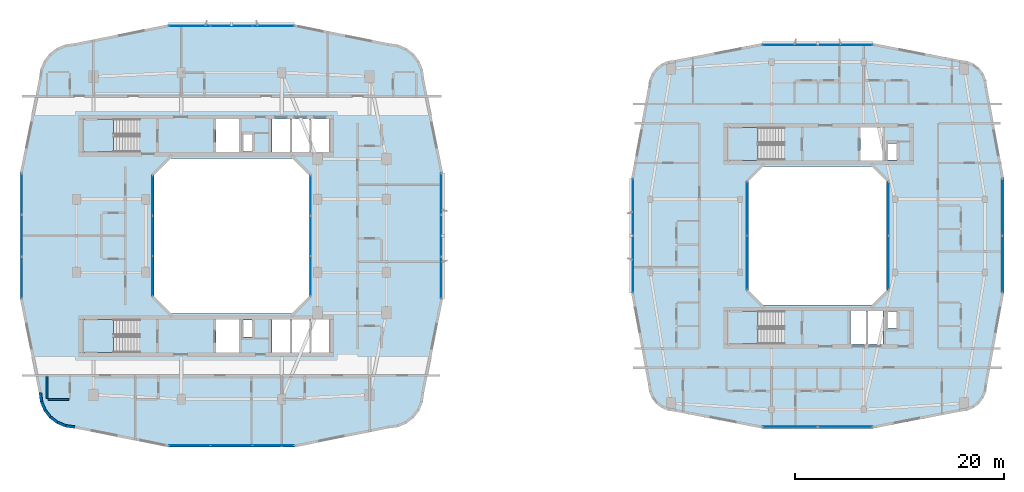
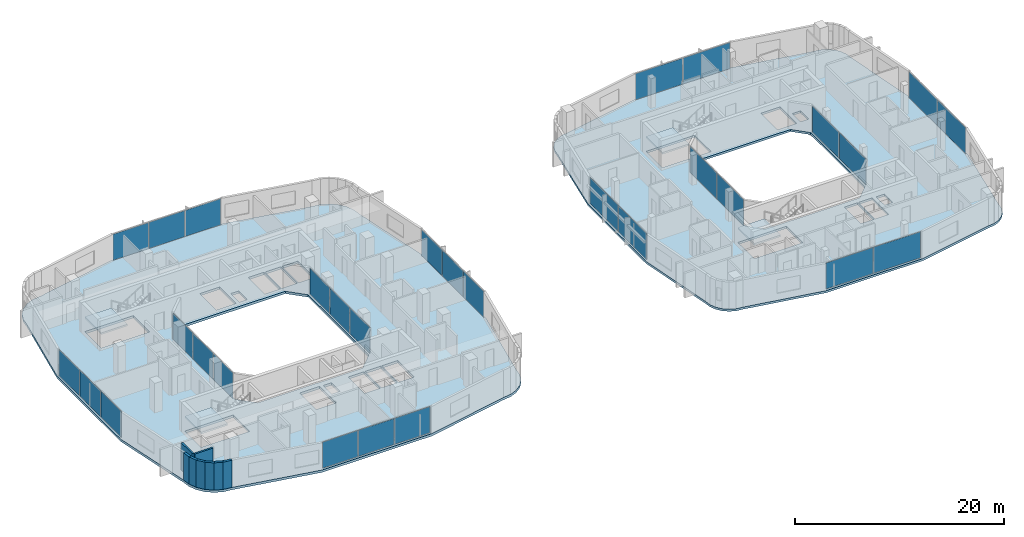
# One storey, part 11 of 26: 30 plates, 8 walls, 6 slabs, 16 elements without a shape of their own.
"""IFC4 building model written with IfcOpenShell, lengths in metres."""

from ifc_helpers import new_model, si_unit, derived_unit, direction, frame, frame_2d, origin, origin_2d, place, context, subcontext, project, spatial, polyline, rectangle, outline, extrude, material, layer, layer_set, type_object, element, aggregate, save


model = new_model("IFC4")

# Units and contexts
model_context = context("Model", 3, precision=1e-05, world=origin(), true_north=direction((0.0, 1.0)))
body_context = subcontext(model_context, "Body", "Model", "MODEL_VIEW")
ifc_project = project(units=[si_unit("LENGTHUNIT", "METRE"), si_unit("AREAUNIT", "SQUARE_METRE"), si_unit("VOLUMEUNIT", "CUBIC_METRE"), si_unit("PLANEANGLEUNIT", "RADIAN"), si_unit("MASSUNIT", "GRAM", prefix="KILO"), derived_unit("THERMALTRANSMITTANCEUNIT", [(si_unit("POWERUNIT", "WATT"), 1), (si_unit("LENGTHUNIT", "METRE"), -2), (si_unit("THERMODYNAMICTEMPERATUREUNIT", "KELVIN"), -1)])], contexts=[model_context])

# Site, building, storey
site_placement = place(None, origin())
site = spatial("IfcSite", under=ifc_project, at=site_placement, CompositionType="ELEMENT")
building_placement = place(site_placement, origin())
building = spatial("IfcBuilding", under=site, at=building_placement, Name="Kivonza Crest Hotel", CompositionType="ELEMENT")
storey_placement = place(building_placement, frame((0.0, 0.0, 116.0)))
storey = spatial("IfcBuildingStorey", under=building, at=storey_placement, Name="L31", CompositionType="ELEMENT", Elevation=116.0)

# Curtain wall, plates
ifc_material_1 = material(Name="Anodised bronze aluminium and low-E double glazing", Category="aluminium")
ifc_layer_1 = layer(ifc_material_1, 0.179931640625)
ifc_layer_set_1 = layer_set([ifc_layer_1], Name="Anodised bronze aluminium and low-E double glazing")
curtain_wall_type_1 = type_object("IfcCurtainWallType", Name="CW-SYS-2", PredefinedType="NOTDEFINED", material=ifc_layer_set_1)
curtain_wall_1_placement = place(storey_placement, origin())
curtain_wall_1 = element("IfcCurtainWall", 1, at=curtain_wall_1_placement, inside=storey, type_object=curtain_wall_type_1, Name="L31 unitised curtain wall CW-T1-L31-08", PredefinedType="NOTDEFINED")
ifc_material_2 = material(Name="Solar-control low-E double glazing", Category="glass")
ifc_layer_2 = layer(ifc_material_2, 0.028076171875)
ifc_layer_set_2 = layer_set([ifc_layer_2], Name="Solar-control low-E double glazing")
plate_type = type_object("IfcPlateType", Name="CW-PNL-28", PredefinedType="CURTAIN_PANEL", material=ifc_layer_set_2)
plate_1_placement = place(storey_placement, frame((17.0029296875, 4.9599609375, 0.06494140625), z_axis=(0.0, 0.0, 1.0), x_axis=(1.0, 0.0, 0.0)))
plate_1 = element("IfcPlate", 2, at=plate_1_placement, type_object=plate_type, Name="CW-2 panel 1.1", PredefinedType="CURTAIN_PANEL", context=body_context, shape_type="SweptSolid", body=[
    extrude(rectangle(XDim=3.915771484375, YDim=0.028076171875, at=origin_2d()), origin(), (0.0, 0.0, 1.0), 3.050048828125),
])
plate_2_placement = place(storey_placement, frame((21.0, 4.9599609375, 0.06494140625), z_axis=(0.0, 0.0, 1.0), x_axis=(1.0, 0.0, 0.0)))
plate_2 = element("IfcPlate", 3, at=plate_2_placement, type_object=plate_type, Name="CW-2 panel 2.1", PredefinedType="CURTAIN_PANEL", context=body_context, shape_type="SweptSolid", body=[
    extrude(rectangle(XDim=3.9482421875, YDim=0.028076171875, at=origin_2d()), origin(), (0.0, 0.0, 1.0), 3.050048828125),
])
plate_3_placement = place(storey_placement, frame((24.9970703125, 4.9599609375, 0.06494140625), z_axis=(0.0, 0.0, 1.0), x_axis=(1.0, 0.0, 0.0)))
plate_3 = element("IfcPlate", 4, at=plate_3_placement, type_object=plate_type, Name="CW-2 panel 3.1", PredefinedType="CURTAIN_PANEL", context=body_context, shape_type="SweptSolid", body=[
    extrude(rectangle(XDim=3.915771484375, YDim=0.028076171875, at=origin_2d()), origin(), (0.0, 0.0, 1.0), 3.050048828125),
])
aggregate(curtain_wall_1, [plate_1, plate_2, plate_3])

curtain_wall_2_placement = place(storey_placement, origin())
curtain_wall_2 = element("IfcCurtainWall", 5, at=curtain_wall_2_placement, inside=storey, type_object=curtain_wall_type_1, Name="L31 unitised curtain wall CW-T1-L31-17", PredefinedType="NOTDEFINED")
plate_4_placement = place(storey_placement, frame((41.0400390625, 21.0029296875, 0.06494140625), z_axis=(0.0, 0.0, 1.0), x_axis=(0.0, 1.0, 0.0)))
plate_4 = element("IfcPlate", 6, at=plate_4_placement, type_object=plate_type, Name="CW-2 panel 1.1", PredefinedType="CURTAIN_PANEL", context=body_context, shape_type="SweptSolid", body=[
    extrude(rectangle(XDim=3.915771484375, YDim=0.028076171875, at=origin_2d()), origin(), (0.0, 0.0, 1.0), 3.050048828125),
])
plate_5_placement = place(storey_placement, frame((41.0400390625, 25.0, 0.06494140625), z_axis=(0.0, 0.0, 1.0), x_axis=(0.0, 1.0, 0.0)))
plate_5 = element("IfcPlate", 7, at=plate_5_placement, type_object=plate_type, Name="CW-2 panel 2.1", PredefinedType="CURTAIN_PANEL", context=body_context, shape_type="SweptSolid", body=[
    extrude(rectangle(XDim=3.9482421875, YDim=0.028076171875, at=origin_2d()), origin(), (0.0, 0.0, 1.0), 3.050048828125),
])
plate_6_placement = place(storey_placement, frame((41.0400390625, 28.9970703125, 0.06494140625), z_axis=(0.0, 0.0, 1.0), x_axis=(0.0, 1.0, 0.0)))
plate_6 = element("IfcPlate", 8, at=plate_6_placement, type_object=plate_type, Name="CW-2 panel 3.1", PredefinedType="CURTAIN_PANEL", context=body_context, shape_type="SweptSolid", body=[
    extrude(rectangle(XDim=3.915771484375, YDim=0.028076171875, at=origin_2d()), origin(), (0.0, 0.0, 1.0), 3.050048828125),
])
aggregate(curtain_wall_2, [plate_4, plate_5, plate_6])

curtain_wall_3_placement = place(storey_placement, origin())
curtain_wall_3 = element("IfcCurtainWall", 9, at=curtain_wall_3_placement, inside=storey, type_object=curtain_wall_type_1, Name="L31 unitised curtain wall CW-T1-L31-26", PredefinedType="NOTDEFINED")
plate_7_placement = place(storey_placement, frame((24.9970703125, 45.0400390625, 0.06494140625), z_axis=(0.0, 0.0, 1.0), x_axis=(-1.0, 0.0, 0.0)))
plate_7 = element("IfcPlate", 10, at=plate_7_placement, type_object=plate_type, Name="CW-2 panel 1.1", PredefinedType="CURTAIN_PANEL", context=body_context, shape_type="SweptSolid", body=[
    extrude(rectangle(XDim=3.915771484375, YDim=0.028076171875, at=origin_2d()), origin(), (0.0, 0.0, 1.0), 3.050048828125),
])
plate_8_placement = place(storey_placement, frame((21.0, 45.0400390625, 0.06494140625), z_axis=(0.0, 0.0, 1.0), x_axis=(-1.0, 0.0, 0.0)))
plate_8 = element("IfcPlate", 11, at=plate_8_placement, type_object=plate_type, Name="CW-2 panel 2.1", PredefinedType="CURTAIN_PANEL", context=body_context, shape_type="SweptSolid", body=[
    extrude(rectangle(XDim=3.9482421875, YDim=0.028076171875, at=origin_2d()), origin(), (0.0, 0.0, 1.0), 3.050048828125),
])
plate_9_placement = place(storey_placement, frame((17.0029296875, 45.0400390625, 0.06494140625), z_axis=(0.0, 0.0, 1.0), x_axis=(-1.0, 0.0, 0.0)))
plate_9 = element("IfcPlate", 12, at=plate_9_placement, type_object=plate_type, Name="CW-2 panel 3.1", PredefinedType="CURTAIN_PANEL", context=body_context, shape_type="SweptSolid", body=[
    extrude(rectangle(XDim=3.915771484375, YDim=0.028076171875, at=origin_2d()), origin(), (0.0, 0.0, 1.0), 3.050048828125),
])
aggregate(curtain_wall_3, [plate_7, plate_8, plate_9])

curtain_wall_4_placement = place(storey_placement, origin())
curtain_wall_4 = element("IfcCurtainWall", 13, at=curtain_wall_4_placement, inside=storey, type_object=curtain_wall_type_1, Name="L31 unitised curtain wall CW-T1-L31-35", PredefinedType="NOTDEFINED")
plate_10_placement = place(storey_placement, frame((0.9599609375, 28.9970703125, 0.06494140625), z_axis=(0.0, 0.0, 1.0), x_axis=(0.0, -1.0, 0.0)))
plate_10 = element("IfcPlate", 14, at=plate_10_placement, type_object=plate_type, Name="CW-2 panel 1.1", PredefinedType="CURTAIN_PANEL", context=body_context, shape_type="SweptSolid", body=[
    extrude(rectangle(XDim=3.915771484375, YDim=0.028076171875, at=origin_2d()), origin(), (0.0, 0.0, 1.0), 3.050048828125),
])
plate_11_placement = place(storey_placement, frame((0.9599609375, 25.0, 0.06494140625), z_axis=(0.0, 0.0, 1.0), x_axis=(0.0, -1.0, 0.0)))
plate_11 = element("IfcPlate", 15, at=plate_11_placement, type_object=plate_type, Name="CW-2 panel 2.1", PredefinedType="CURTAIN_PANEL", context=body_context, shape_type="SweptSolid", body=[
    extrude(rectangle(XDim=3.9482421875, YDim=0.028076171875, at=origin_2d()), origin(), (0.0, 0.0, 1.0), 3.050048828125),
])
plate_12_placement = place(storey_placement, frame((0.9599609375, 21.0029296875, 0.06494140625), z_axis=(0.0, 0.0, 1.0), x_axis=(0.0, -1.0, 0.0)))
plate_12 = element("IfcPlate", 16, at=plate_12_placement, type_object=plate_type, Name="CW-2 panel 3.1", PredefinedType="CURTAIN_PANEL", context=body_context, shape_type="SweptSolid", body=[
    extrude(rectangle(XDim=3.915771484375, YDim=0.028076171875, at=origin_2d()), origin(), (0.0, 0.0, 1.0), 3.050048828125),
])
aggregate(curtain_wall_4, [plate_10, plate_11, plate_12])

ifc_layer_3 = layer(ifc_material_1, 0.159912109375)
ifc_layer_set_3 = layer_set([ifc_layer_3], Name="Anodised bronze aluminium and low-E double glazing")
curtain_wall_type_2 = type_object("IfcCurtainWallType", Name="CW-SYS-5", PredefinedType="NOTDEFINED", material=ifc_layer_set_3)
curtain_wall_5_placement = place(storey_placement, origin())
curtain_wall_5 = element("IfcCurtainWall", 17, at=curtain_wall_5_placement, inside=storey, type_object=curtain_wall_type_2, Name="L31 unitised curtain wall CW-WELL-T1-L31-3", PredefinedType="NOTDEFINED")
plate_13_placement = place(storey_placement, frame((28.56005859375, 21.149658203125, 0.06494140625), z_axis=(0.0, 0.0, 1.0), x_axis=(0.0, 1.0, 0.0)))
plate_13 = element("IfcPlate", 18, at=plate_13_placement, type_object=plate_type, Name="CW-5 panel 1.1", PredefinedType="CURTAIN_PANEL", context=body_context, shape_type="SweptSolid", body=[
    extrude(rectangle(XDim=3.769287109375, YDim=0.028076171875, at=origin_2d()), origin(), (0.0, 0.0, 1.0), 3.050048828125),
])
plate_14_placement = place(storey_placement, frame((28.56005859375, 25.0, 0.06494140625), z_axis=(0.0, 0.0, 1.0), x_axis=(0.0, 1.0, 0.0)))
plate_14 = element("IfcPlate", 19, at=plate_14_placement, type_object=plate_type, Name="CW-5 panel 2.1", PredefinedType="CURTAIN_PANEL", context=body_context, shape_type="SweptSolid", body=[
    extrude(rectangle(XDim=3.8017578125, YDim=0.028076171875, at=origin_2d()), origin(), (0.0, 0.0, 1.0), 3.050048828125),
])
plate_15_placement = place(storey_placement, frame((28.56005859375, 28.850341796875, 0.06494140625), z_axis=(0.0, 0.0, 1.0), x_axis=(0.0, 1.0, 0.0)))
plate_15 = element("IfcPlate", 20, at=plate_15_placement, type_object=plate_type, Name="CW-5 panel 3.1", PredefinedType="CURTAIN_PANEL", context=body_context, shape_type="SweptSolid", body=[
    extrude(rectangle(XDim=3.769287109375, YDim=0.028076171875, at=origin_2d()), origin(), (0.0, 0.0, 1.0), 3.050048828125),
])
aggregate(curtain_wall_5, [plate_13, plate_14, plate_15])

curtain_wall_6_placement = place(storey_placement, origin())
curtain_wall_6 = element("IfcCurtainWall", 21, at=curtain_wall_6_placement, inside=storey, type_object=curtain_wall_type_2, Name="L31 unitised curtain wall CW-WELL-T1-L31-7", PredefinedType="NOTDEFINED")
plate_16_placement = place(storey_placement, frame((13.43994140625, 28.850341796875, 0.06494140625), z_axis=(0.0, 0.0, 1.0), x_axis=(0.0, -1.0, 0.0)))
plate_16 = element("IfcPlate", 22, at=plate_16_placement, type_object=plate_type, Name="CW-5 panel 1.1", PredefinedType="CURTAIN_PANEL", context=body_context, shape_type="SweptSolid", body=[
    extrude(rectangle(XDim=3.769287109375, YDim=0.028076171875, at=origin_2d()), origin(), (0.0, 0.0, 1.0), 3.050048828125),
])
plate_17_placement = place(storey_placement, frame((13.43994140625, 25.0, 0.06494140625), z_axis=(0.0, 0.0, 1.0), x_axis=(0.0, -1.0, 0.0)))
plate_17 = element("IfcPlate", 23, at=plate_17_placement, type_object=plate_type, Name="CW-5 panel 2.1", PredefinedType="CURTAIN_PANEL", context=body_context, shape_type="SweptSolid", body=[
    extrude(rectangle(XDim=3.8017578125, YDim=0.028076171875, at=origin_2d()), origin(), (0.0, 0.0, 1.0), 3.050048828125),
])
plate_18_placement = place(storey_placement, frame((13.43994140625, 21.149658203125, 0.06494140625), z_axis=(0.0, 0.0, 1.0), x_axis=(0.0, -1.0, 0.0)))
plate_18 = element("IfcPlate", 24, at=plate_18_placement, type_object=plate_type, Name="CW-5 panel 3.1", PredefinedType="CURTAIN_PANEL", context=body_context, shape_type="SweptSolid", body=[
    extrude(rectangle(XDim=3.769287109375, YDim=0.028076171875, at=origin_2d()), origin(), (0.0, 0.0, 1.0), 3.050048828125),
])
aggregate(curtain_wall_6, [plate_16, plate_17, plate_18])

ifc_layer_4 = layer(ifc_material_1, 0.179931640625)
ifc_layer_set_4 = layer_set([ifc_layer_4], Name="Anodised bronze aluminium and low-E double glazing")
curtain_wall_type_3 = type_object("IfcCurtainWallType", Name="CW-SYS-4", PredefinedType="NOTDEFINED", material=ifc_layer_set_4)
curtain_wall_7_placement = place(storey_placement, origin())
curtain_wall_7 = element("IfcCurtainWall", 25, at=curtain_wall_7_placement, inside=storey, type_object=curtain_wall_type_3, Name="L31 unitised curtain wall CW-T2-L31-08", PredefinedType="NOTDEFINED")
plate_19_placement = place(storey_placement, frame((74.3662109375, 6.760009765625, 0.06494140625), z_axis=(0.0, 0.0, 1.0), x_axis=(1.0, 0.0, 0.0)))
plate_19 = element("IfcPlate", 26, at=plate_19_placement, type_object=plate_type, Name="CW-4 panel 1.1", PredefinedType="CURTAIN_PANEL", context=body_context, shape_type="SweptSolid", body=[
    extrude(rectangle(XDim=5.202392578125, YDim=0.028076171875, at=origin_2d()), origin(), (0.0, 0.0, 1.0), 3.050048828125),
])
plate_20_placement = place(storey_placement, frame((79.6337890625, 6.760009765625, 0.06494140625), z_axis=(0.0, 0.0, 1.0), x_axis=(1.0, 0.0, 0.0)))
plate_20 = element("IfcPlate", 27, at=plate_20_placement, type_object=plate_type, Name="CW-4 panel 2.1", PredefinedType="CURTAIN_PANEL", context=body_context, shape_type="SweptSolid", body=[
    extrude(rectangle(XDim=5.202392578125, YDim=0.028076171875, at=origin_2d()), origin(), (0.0, 0.0, 1.0), 3.050048828125),
])
aggregate(curtain_wall_7, [plate_19, plate_20])

curtain_wall_8_placement = place(storey_placement, origin())
curtain_wall_8 = element("IfcCurtainWall", 28, at=curtain_wall_8_placement, inside=storey, type_object=curtain_wall_type_3, Name="L31 unitised curtain wall CW-T2-L31-17", PredefinedType="NOTDEFINED")
plate_21_placement = place(storey_placement, frame((94.639892578125, 22.2763671875, 0.06494140625), z_axis=(0.0, 0.0, 1.0), x_axis=(0.0, 1.0, 0.0)))
plate_21 = element("IfcPlate", 29, at=plate_21_placement, type_object=plate_type, Name="CW-4 panel 1.1", PredefinedType="CURTAIN_PANEL", context=body_context, shape_type="SweptSolid", body=[
    extrude(rectangle(XDim=5.382568359375, YDim=0.028076171875, at=origin_2d()), origin(), (0.0, 0.0, 1.0), 3.050048828125),
])
plate_22_placement = place(storey_placement, frame((94.639892578125, 27.7236328125, 0.06494140625), z_axis=(0.0, 0.0, 1.0), x_axis=(0.0, 1.0, 0.0)))
plate_22 = element("IfcPlate", 30, at=plate_22_placement, type_object=plate_type, Name="CW-4 panel 2.1", PredefinedType="CURTAIN_PANEL", context=body_context, shape_type="SweptSolid", body=[
    extrude(rectangle(XDim=5.382568359375, YDim=0.028076171875, at=origin_2d()), origin(), (0.0, 0.0, 1.0), 3.050048828125),
])
aggregate(curtain_wall_8, [plate_21, plate_22])

curtain_wall_9_placement = place(storey_placement, origin())
curtain_wall_9 = element("IfcCurtainWall", 31, at=curtain_wall_9_placement, inside=storey, type_object=curtain_wall_type_3, Name="L31 unitised curtain wall CW-T2-L31-26", PredefinedType="NOTDEFINED")
plate_23_placement = place(storey_placement, frame((79.6337890625, 43.239990234375, 0.06494140625), z_axis=(0.0, 0.0, 1.0), x_axis=(-1.0, 0.0, 0.0)))
plate_23 = element("IfcPlate", 32, at=plate_23_placement, type_object=plate_type, Name="CW-4 panel 1.1", PredefinedType="CURTAIN_PANEL", context=body_context, shape_type="SweptSolid", body=[
    extrude(rectangle(XDim=5.202392578125, YDim=0.028076171875, at=origin_2d()), origin(), (0.0, 0.0, 1.0), 3.050048828125),
])
plate_24_placement = place(storey_placement, frame((74.3662109375, 43.239990234375, 0.06494140625), z_axis=(0.0, 0.0, 1.0), x_axis=(-1.0, 0.0, 0.0)))
plate_24 = element("IfcPlate", 33, at=plate_24_placement, type_object=plate_type, Name="CW-4 panel 2.1", PredefinedType="CURTAIN_PANEL", context=body_context, shape_type="SweptSolid", body=[
    extrude(rectangle(XDim=5.202392578125, YDim=0.028076171875, at=origin_2d()), origin(), (0.0, 0.0, 1.0), 3.050048828125),
])
aggregate(curtain_wall_9, [plate_23, plate_24])

curtain_wall_10_placement = place(storey_placement, origin())
curtain_wall_10 = element("IfcCurtainWall", 34, at=curtain_wall_10_placement, inside=storey, type_object=curtain_wall_type_3, Name="L31 unitised curtain wall CW-T2-L31-35", PredefinedType="NOTDEFINED")
plate_25_placement = place(storey_placement, frame((59.360107421875, 27.7236328125, 0.06494140625), z_axis=(0.0, 0.0, 1.0), x_axis=(0.0, -1.0, 0.0)))
plate_25 = element("IfcPlate", 35, at=plate_25_placement, type_object=plate_type, Name="CW-4 panel 1.1", PredefinedType="CURTAIN_PANEL", context=body_context, shape_type="SweptSolid", body=[
    extrude(rectangle(XDim=5.382568359375, YDim=0.028076171875, at=origin_2d()), origin(), (0.0, 0.0, 1.0), 3.050048828125),
])
plate_26_placement = place(storey_placement, frame((59.360107421875, 22.2763671875, 0.06494140625), z_axis=(0.0, 0.0, 1.0), x_axis=(0.0, -1.0, 0.0)))
plate_26 = element("IfcPlate", 36, at=plate_26_placement, type_object=plate_type, Name="CW-4 panel 2.1", PredefinedType="CURTAIN_PANEL", context=body_context, shape_type="SweptSolid", body=[
    extrude(rectangle(XDim=5.382568359375, YDim=0.028076171875, at=origin_2d()), origin(), (0.0, 0.0, 1.0), 3.050048828125),
])
aggregate(curtain_wall_10, [plate_25, plate_26])

curtain_wall_11_placement = place(storey_placement, origin())
curtain_wall_11 = element("IfcCurtainWall", 37, at=curtain_wall_11_placement, inside=storey, type_object=curtain_wall_type_2, Name="L31 unitised curtain wall CW-WELL-T2-L31-3", PredefinedType="NOTDEFINED")
plate_27_placement = place(storey_placement, frame((83.760009765625, 22.416259765625, 0.06494140625), z_axis=(0.0, 0.0, 1.0), x_axis=(0.0, 1.0, 0.0)))
plate_27 = element("IfcPlate", 38, at=plate_27_placement, type_object=plate_type, Name="CW-5 panel 1.1", PredefinedType="CURTAIN_PANEL", context=body_context, shape_type="SweptSolid", body=[
    extrude(rectangle(XDim=5.1025390625, YDim=0.028076171875, at=origin_2d()), origin(), (0.0, 0.0, 1.0), 3.050048828125),
])
plate_28_placement = place(storey_placement, frame((83.760009765625, 27.583740234375, 0.06494140625), z_axis=(0.0, 0.0, 1.0), x_axis=(0.0, 1.0, 0.0)))
plate_28 = element("IfcPlate", 39, at=plate_28_placement, type_object=plate_type, Name="CW-5 panel 2.1", PredefinedType="CURTAIN_PANEL", context=body_context, shape_type="SweptSolid", body=[
    extrude(rectangle(XDim=5.1025390625, YDim=0.028076171875, at=origin_2d()), origin(), (0.0, 0.0, 1.0), 3.050048828125),
])
aggregate(curtain_wall_11, [plate_27, plate_28])

curtain_wall_12_placement = place(storey_placement, origin())
curtain_wall_12 = element("IfcCurtainWall", 40, at=curtain_wall_12_placement, inside=storey, type_object=curtain_wall_type_2, Name="L31 unitised curtain wall CW-WELL-T2-L31-7", PredefinedType="NOTDEFINED")
plate_29_placement = place(storey_placement, frame((70.239990234375, 27.583740234375, 0.06494140625), z_axis=(0.0, 0.0, 1.0), x_axis=(0.0, -1.0, 0.0)))
plate_29 = element("IfcPlate", 41, at=plate_29_placement, type_object=plate_type, Name="CW-5 panel 1.1", PredefinedType="CURTAIN_PANEL", context=body_context, shape_type="SweptSolid", body=[
    extrude(rectangle(XDim=5.1025390625, YDim=0.028076171875, at=origin_2d()), origin(), (0.0, 0.0, 1.0), 3.050048828125),
])
plate_30_placement = place(storey_placement, frame((70.239990234375, 22.416259765625, 0.06494140625), z_axis=(0.0, 0.0, 1.0), x_axis=(0.0, -1.0, 0.0)))
plate_30 = element("IfcPlate", 42, at=plate_30_placement, type_object=plate_type, Name="CW-5 panel 2.1", PredefinedType="CURTAIN_PANEL", context=body_context, shape_type="SweptSolid", body=[
    extrude(rectangle(XDim=5.1025390625, YDim=0.028076171875, at=origin_2d()), origin(), (0.0, 0.0, 1.0), 3.050048828125),
])
aggregate(curtain_wall_12, [plate_29, plate_30])

# Slab
ifc_material_3 = material(Name="Concrete C40/50", Category="concrete")
ifc_layer_5 = layer(ifc_material_3, 0.280029296875)
ifc_layer_set_5 = layer_set([ifc_layer_5], Name="Concrete C40/50")
slab_type_1 = type_object("IfcSlabType", Name="SL-HTL-280", PredefinedType="FLOOR", material=ifc_layer_set_5)
slab_1_placement = place(storey_placement, frame((0.0, 0.0, -0.280029296875)))
element("IfcSlab", 43, at=slab_1_placement, inside=storey, type_object=slab_type_1, Name="Tower T1 L31 floor slab", PredefinedType="FLOOR", context=body_context, shape_type="SweptSolid", body=[
    extrude(outline(polyline([(2.60009765625, 10.0), (2.716064453125, 9.1201171875), (3.055908203125, 8.300048828125), (3.595947265625, 7.595947265625), (4.300048828125, 7.055908203125), (5.1201171875, 6.716064453125), (6.0, 6.60009765625), (14.93994140625, 4.800048828125), (27.06005859375, 4.800048828125), (36.0, 6.60009765625), (36.8798828125, 6.716064453125), (37.699951171875, 7.055908203125), (38.404052734375, 7.595947265625), (38.944091796875, 8.300048828125), (39.283935546875, 9.1201171875), (39.39990234375, 10.0), (41.199951171875, 18.93994140625), (41.199951171875, 31.06005859375), (39.39990234375, 40.0), (39.283935546875, 40.8798828125), (38.944091796875, 41.699951171875), (38.404052734375, 42.404052734375), (37.699951171875, 42.944091796875), (36.8798828125, 43.283935546875), (36.0, 43.39990234375), (27.06005859375, 45.199951171875), (14.93994140625, 45.199951171875), (6.0, 43.39990234375), (5.1201171875, 43.283935546875), (4.300048828125, 42.944091796875), (3.595947265625, 42.404052734375), (3.055908203125, 41.699951171875), (2.716064453125, 40.8798828125), (2.60009765625, 40.0), (0.800048828125, 31.06005859375), (0.800048828125, 18.93994140625), (2.60009765625, 10.0)]), holes=[polyline([(15.199951171875, 17.60009765625), (26.800048828125, 17.60009765625), (28.39990234375, 19.199951171875), (28.39990234375, 30.800048828125), (26.800048828125, 32.39990234375), (15.199951171875, 32.39990234375), (13.60009765625, 30.800048828125), (13.60009765625, 19.199951171875), (15.199951171875, 17.60009765625)]), polyline([(6.800048828125, 33.02001953125), (12.159912109375, 33.02001953125), (12.159912109375, 36.159912109375), (6.800048828125, 36.159912109375), (6.800048828125, 33.02001953125)]), polyline([(6.800048828125, 13.860107421875), (12.159912109375, 13.860107421875), (12.159912109375, 17.0), (6.800048828125, 17.0), (6.800048828125, 13.860107421875)]), polyline([(22.080078125, 33.0400390625), (22.969970703125, 33.0400390625), (22.969970703125, 34.679931640625), (22.080078125, 34.679931640625), (22.080078125, 33.0400390625)]), polyline([(22.080078125, 15.320068359375), (22.969970703125, 15.320068359375), (22.969970703125, 16.9599609375), (22.080078125, 16.9599609375), (22.080078125, 15.320068359375)]), polyline([(19.5, 33.0), (21.699951171875, 33.0), (21.699951171875, 36.159912109375), (19.5, 36.159912109375), (19.5, 33.0)]), polyline([(24.860107421875, 33.0), (26.60693359375, 33.0), (26.60693359375, 36.159912109375), (24.860107421875, 36.159912109375), (24.860107421875, 33.0)]), polyline([(26.72705078125, 33.0), (28.472900390625, 33.0), (28.472900390625, 36.159912109375), (26.72705078125, 36.159912109375), (26.72705078125, 33.0)]), polyline([(28.593017578125, 33.0), (30.340087890625, 33.0), (30.340087890625, 36.159912109375), (28.593017578125, 36.159912109375), (28.593017578125, 33.0)]), polyline([(19.5, 13.840087890625), (21.699951171875, 13.840087890625), (21.699951171875, 17.0), (19.5, 17.0), (19.5, 13.840087890625)]), polyline([(24.860107421875, 13.840087890625), (26.60693359375, 13.840087890625), (26.60693359375, 17.0), (24.860107421875, 17.0), (24.860107421875, 13.840087890625)]), polyline([(26.72705078125, 13.840087890625), (28.472900390625, 13.840087890625), (28.472900390625, 17.0), (26.72705078125, 17.0), (26.72705078125, 13.840087890625)]), polyline([(28.593017578125, 13.840087890625), (30.340087890625, 13.840087890625), (30.340087890625, 17.0), (28.593017578125, 17.0), (28.593017578125, 13.840087890625)])]), origin(), (0.0, 0.0, 1.0), 0.280029296875),
])

# Stair, slab
stair_type = type_object("IfcStairType", Name="ST-DL-20R", PredefinedType="HALF_TURN_STAIR", material=ifc_material_3)
stair_1_placement = place(storey_placement, origin())
stair_1 = element("IfcStair", 44, at=stair_1_placement, inside=storey, type_object=stair_type, Name="L31 Protected Exit Stair ST-T1-N", PredefinedType="HALF_TURN_STAIR")
ifc_layer_6 = layer(ifc_material_3, 0.199951171875)
ifc_layer_set_6 = layer_set([ifc_layer_6], Name="Concrete C40/50")
slab_type_2 = type_object("IfcSlabType", Name="SL-LAND-200", PredefinedType="LANDING", material=ifc_layer_set_6)
slab_2_placement = place(storey_placement, frame((0.0, 0.0, 1.550048828125)))
slab_2 = element("IfcSlab", 45, at=slab_2_placement, type_object=slab_type_2, Name="ST-T1-N landing 1", PredefinedType="LANDING", context=body_context, shape_type="SweptSolid", body=[
    extrude(outline(polyline([(9.719970703125, 36.159912109375), (6.800048828125, 36.159912109375), (6.800048828125, 33.02001953125), (9.719970703125, 33.02001953125), (9.719970703125, 36.159912109375)])), origin(), (0.0, 0.0, 1.0), 0.199951171875),
])
aggregate(stair_1, [slab_2])

stair_2_placement = place(storey_placement, origin())
stair_2 = element("IfcStair", 46, at=stair_2_placement, inside=storey, type_object=stair_type, Name="L31 Protected Exit Stair ST-T1-S", PredefinedType="HALF_TURN_STAIR")
slab_3_placement = place(storey_placement, frame((0.0, 0.0, 1.550048828125)))
slab_3 = element("IfcSlab", 47, at=slab_3_placement, type_object=slab_type_2, Name="ST-T1-S landing 1", PredefinedType="LANDING", context=body_context, shape_type="SweptSolid", body=[
    extrude(outline(polyline([(9.719970703125, 17.0), (6.800048828125, 17.0), (6.800048828125, 13.860107421875), (9.719970703125, 13.860107421875), (9.719970703125, 17.0)])), origin(), (0.0, 0.0, 1.0), 0.199951171875),
])
aggregate(stair_2, [slab_3])

stair_3_placement = place(storey_placement, origin())
stair_3 = element("IfcStair", 48, at=stair_3_placement, inside=storey, type_object=stair_type, Name="L31 Protected Exit Stair ST-T2-N", PredefinedType="HALF_TURN_STAIR")
slab_4_placement = place(storey_placement, frame((0.0, 0.0, 1.550048828125)))
slab_4 = element("IfcSlab", 49, at=slab_4_placement, type_object=slab_type_2, Name="ST-T2-N landing 1", PredefinedType="LANDING", context=body_context, shape_type="SweptSolid", body=[
    extrude(outline(polyline([(71.320068359375, 35.360107421875), (68.39990234375, 35.360107421875), (68.39990234375, 32.219970703125), (71.320068359375, 32.219970703125), (71.320068359375, 35.360107421875)])), origin(), (0.0, 0.0, 1.0), 0.199951171875),
])
aggregate(stair_3, [slab_4])

stair_4_placement = place(storey_placement, origin())
stair_4 = element("IfcStair", 50, at=stair_4_placement, inside=storey, type_object=stair_type, Name="L31 Protected Exit Stair ST-T2-S", PredefinedType="HALF_TURN_STAIR")
slab_5_placement = place(storey_placement, frame((0.0, 0.0, 1.550048828125)))
slab_5 = element("IfcSlab", 51, at=slab_5_placement, type_object=slab_type_2, Name="ST-T2-S landing 1", PredefinedType="LANDING", context=body_context, shape_type="SweptSolid", body=[
    extrude(outline(polyline([(71.320068359375, 17.800048828125), (68.39990234375, 17.800048828125), (68.39990234375, 14.659912109375), (71.320068359375, 14.659912109375), (71.320068359375, 17.800048828125)])), origin(), (0.0, 0.0, 1.0), 0.199951171875),
])
aggregate(stair_4, [slab_5])

# Slab
ifc_layer_7 = layer(ifc_material_3, 0.25)
ifc_layer_set_7 = layer_set([ifc_layer_7], Name="Concrete C40/50")
slab_type_3 = type_object("IfcSlabType", Name="SL-RES-250", PredefinedType="FLOOR", material=ifc_layer_set_7)
slab_6_placement = place(storey_placement, frame((0.0, 0.0, -0.25)))
element("IfcSlab", 52, at=slab_6_placement, inside=storey, type_object=slab_type_3, Name="Companion Tower T2 L31 floor slab", PredefinedType="FLOOR", context=body_context, shape_type="SweptSolid", body=[
    extrude(outline(polyline([(60.800048828125, 10.800048828125), (60.888916015625, 10.126953125), (61.14794921875, 9.5), (61.56201171875, 8.9619140625), (62.10009765625, 8.548095703125), (62.72705078125, 8.2890625), (63.39990234375, 8.199951171875), (71.659912109375, 6.60009765625), (82.340087890625, 6.60009765625), (90.60009765625, 8.199951171875), (91.27294921875, 8.2890625), (91.89990234375, 8.548095703125), (92.43798828125, 8.9619140625), (92.85205078125, 9.5), (93.111083984375, 10.126953125), (93.199951171875, 10.800048828125), (94.800048828125, 19.47998046875), (94.800048828125, 30.52001953125), (93.199951171875, 39.199951171875), (93.111083984375, 39.873046875), (92.85205078125, 40.5), (92.43798828125, 41.0380859375), (91.89990234375, 41.451904296875), (91.27294921875, 41.7109375), (90.60009765625, 41.800048828125), (82.340087890625, 43.39990234375), (71.659912109375, 43.39990234375), (63.39990234375, 41.800048828125), (62.72705078125, 41.7109375), (62.10009765625, 41.451904296875), (61.56201171875, 41.0380859375), (61.14794921875, 40.5), (60.888916015625, 39.873046875), (60.800048828125, 39.199951171875), (59.199951171875, 30.52001953125), (59.199951171875, 19.47998046875), (60.800048828125, 10.800048828125)]), holes=[polyline([(71.800048828125, 18.39990234375), (82.199951171875, 18.39990234375), (83.60009765625, 19.800048828125), (83.60009765625, 30.199951171875), (82.199951171875, 31.60009765625), (71.800048828125, 31.60009765625), (70.39990234375, 30.199951171875), (70.39990234375, 19.800048828125), (71.800048828125, 18.39990234375)]), polyline([(68.39990234375, 32.219970703125), (73.760009765625, 32.219970703125), (73.760009765625, 35.360107421875), (68.39990234375, 35.360107421875), (68.39990234375, 32.219970703125)]), polyline([(68.39990234375, 14.659912109375), (73.760009765625, 14.659912109375), (73.760009765625, 17.800048828125), (68.39990234375, 17.800048828125), (68.39990234375, 14.659912109375)]), polyline([(83.679931640625, 32.239990234375), (84.570068359375, 32.239990234375), (84.570068359375, 33.820068359375), (83.679931640625, 33.820068359375), (83.679931640625, 32.239990234375)]), polyline([(83.679931640625, 16.179931640625), (84.570068359375, 16.179931640625), (84.570068359375, 17.760009765625), (83.679931640625, 17.760009765625), (83.679931640625, 16.179931640625)]), polyline([(81.10009765625, 32.199951171875), (83.199951171875, 32.199951171875), (83.199951171875, 35.360107421875), (81.10009765625, 35.360107421875), (81.10009765625, 32.199951171875)]), polyline([(80.159912109375, 14.639892578125), (81.639892578125, 14.639892578125), (81.639892578125, 17.800048828125), (80.159912109375, 17.800048828125), (80.159912109375, 14.639892578125)]), polyline([(81.760009765625, 14.639892578125), (83.239990234375, 14.639892578125), (83.239990234375, 17.800048828125), (81.760009765625, 17.800048828125), (81.760009765625, 14.639892578125)])]), origin(), (0.0, 0.0, 1.0), 0.25),
])

# Walls
ifc_material_4 = material(Name="Precast concrete C40/50", Category="concrete")
ifc_layer_8 = layer(ifc_material_4, 0.260009765625)
ifc_layer_set_8 = layer_set([ifc_layer_8], Name="Precast concrete C40/50")
wall_type_1 = type_object("IfcWallType", Name="WL-EXT-260", PredefinedType="STANDARD", material=ifc_layer_set_8)
wall_1_placement = place(storey_placement, frame((2.72802734375, 10.02490234375, 0.0), z_axis=(0.0, 0.0, 1.0), x_axis=(0.130953706898, -0.991388484223, 0.0)))
element("IfcWall", 53, at=wall_1_placement, inside=storey, type_object=wall_type_1, Name="L31 T1 exterior insulated wall 1", PredefinedType="STANDARD", context=body_context, shape_type="SweptSolid", body=[
    extrude(rectangle(XDim=0.885498046875, YDim=0.260009765625, at=frame_2d((0.44287109375, 0.0))), origin(), (0.0, 0.0, 1.0), 3.179931640625),
])
wall_2_placement = place(storey_placement, frame((2.825927734375, 9.193115234375, 0.0), z_axis=(0.0, 0.0, 1.0), x_axis=(0.383290660547, -0.923627776508, 0.0)))
element("IfcWall", 54, at=wall_2_placement, inside=storey, type_object=wall_type_1, Name="L31 T1 exterior insulated wall 2", PredefinedType="STANDARD", context=body_context, shape_type="SweptSolid", body=[
    extrude(rectangle(XDim=0.9033203125, YDim=0.260009765625, at=frame_2d((0.45166015625, 0.0))), origin(), (0.0, 0.0, 1.0), 3.179931640625),
])
wall_3_placement = place(storey_placement, frame((3.14404296875, 8.39892578125, 0.0), z_axis=(0.0, 0.0, 1.0), x_axis=(0.608624690463, -0.793458244748, 0.0)))
element("IfcWall", 55, at=wall_3_placement, inside=storey, type_object=wall_type_1, Name="L31 T1 exterior insulated wall 3", PredefinedType="STANDARD", context=body_context, shape_type="SweptSolid", body=[
    extrude(rectangle(XDim=0.902099609375, YDim=0.260009765625, at=frame_2d((0.451171875, 0.0))), origin(), (0.0, 0.0, 1.0), 3.179931640625),
])
wall_4_placement = place(storey_placement, frame((3.655029296875, 7.714111328125, 0.0), z_axis=(0.0, 0.0, 1.0), x_axis=(0.793558456666, -0.608494022858, 0.0)))
element("IfcWall", 56, at=wall_4_placement, inside=storey, type_object=wall_type_1, Name="L31 T1 exterior insulated wall 4", PredefinedType="STANDARD", context=body_context, shape_type="SweptSolid", body=[
    extrude(rectangle(XDim=0.90234375, YDim=0.260009765625, at=frame_2d((0.451171875, 0.0))), origin(), (0.0, 0.0, 1.0), 3.179931640625),
])
wall_5_placement = place(storey_placement, frame((4.326904296875, 7.18603515625, 0.0), z_axis=(0.0, 0.0, 1.0), x_axis=(0.923683767999, -0.383155708213, 0.0)))
element("IfcWall", 57, at=wall_5_placement, inside=storey, type_object=wall_type_1, Name="L31 T1 exterior insulated wall 5", PredefinedType="STANDARD", context=body_context, shape_type="SweptSolid", body=[
    extrude(rectangle(XDim=0.90283203125, YDim=0.260009765625, at=frame_2d((0.451416015625, 0.0))), origin(), (0.0, 0.0, 1.0), 3.179931640625),
])
wall_6_placement = place(storey_placement, frame((5.112060546875, 6.847900390625, 0.0), z_axis=(0.0, 0.0, 1.0), x_axis=(0.991487658083, -0.130200706103, 0.0)))
element("IfcWall", 58, at=wall_6_placement, inside=storey, type_object=wall_type_1, Name="L31 T1 exterior insulated wall 6", PredefinedType="STANDARD", context=body_context, shape_type="SweptSolid", body=[
    extrude(rectangle(XDim=0.920654296875, YDim=0.260009765625, at=frame_2d((0.46044921875, 0.0))), origin(), (0.0, 0.0, 1.0), 3.179931640625),
])
ifc_material_5 = material(Name="Moisture-resistant plumbing chase partition wall", Category="gypsum")
ifc_layer_9 = layer(ifc_material_5, 0.199951171875)
ifc_layer_set_9 = layer_set([ifc_layer_9], Name="Moisture-resistant plumbing chase partition wall")
wall_type_2 = type_object("IfcWallType", Name="WL-PLUMB-200", PredefinedType="PLUMBINGWALL", material=ifc_layer_set_9)
wall_7_placement = place(storey_placement, frame((3.449951171875, 9.35009765625, 0.0), z_axis=(0.0, 0.0, 1.0), x_axis=(1.0, 0.0, 0.0)))
element("IfcWall", 59, at=wall_7_placement, inside=storey, type_object=wall_type_2, Name="L31 interior partition WW-L31-S04-BH", PredefinedType="PLUMBINGWALL", context=body_context, shape_type="SweptSolid", body=[
    extrude(rectangle(XDim=2.0, YDim=0.199951171875, at=frame_2d((1.0, 0.0))), origin(), (0.0, 0.0, 1.0), 3.179931640625),
])
wall_8_placement = place(storey_placement, frame((3.35009765625, 9.449951171875, 0.0), z_axis=(0.0, 0.0, 1.0), x_axis=(0.0, 1.0, 0.0)))
element("IfcWall", 60, at=wall_8_placement, inside=storey, type_object=wall_type_2, Name="L31 interior partition WW-L31-S04-BVW", PredefinedType="PLUMBINGWALL", context=body_context, shape_type="SweptSolid", body=[
    extrude(rectangle(XDim=2.10009765625, YDim=0.199951171875, at=frame_2d((1.050048828125, 0.0))), origin(), (0.0, 0.0, 1.0), 3.179931640625),
])

save(model, "model.ifc")
